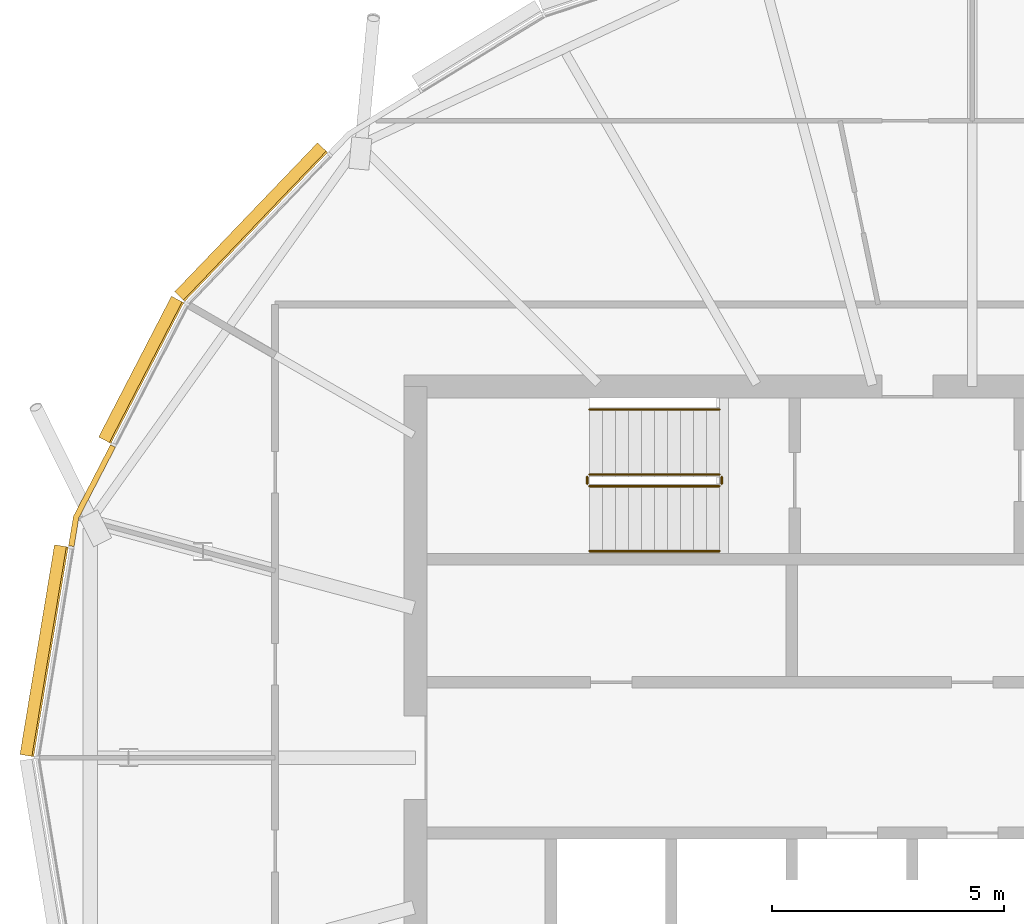
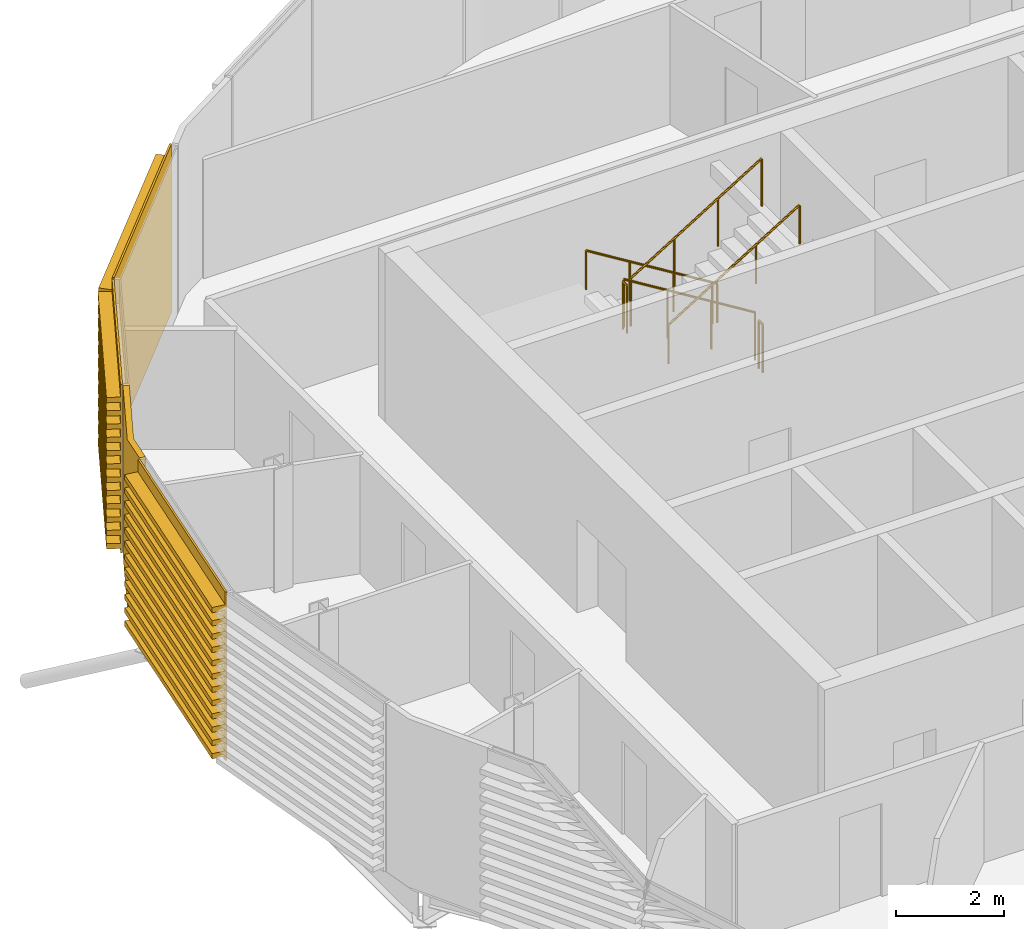
# One storey, part 31 of 34: 6 railings, 4 coverings.
"""IFC4 building model written with IfcOpenShell, lengths in metres."""

from ifc_helpers import new_model, si_unit, direction, frame, origin, origin_2d, place, context, subcontext, project, spatial, polyline, circle, outline, extrude, material, layer, layer_set, material_profile, profile_set, type_object, element, save


model = new_model("IFC4")

# Units and contexts
model_context = context("Model", 3, precision=1e-05, world=origin(), true_north=direction((0.0, 1.0)))
body_context = subcontext(model_context, "Body", "Model", "MODEL_VIEW")
ifc_project = project(units=[si_unit("LENGTHUNIT", "METRE"), si_unit("AREAUNIT", "SQUARE_METRE"), si_unit("VOLUMEUNIT", "CUBIC_METRE"), si_unit("PLANEANGLEUNIT", "RADIAN"), si_unit("MASSUNIT", "GRAM", prefix="KILO")], contexts=[model_context])

# Site, building, storey
site_placement = place(None, origin())
site = spatial("IfcSite", under=ifc_project, at=site_placement, CompositionType="ELEMENT")
building_placement = place(site_placement, origin())
building = spatial("IfcBuilding", under=site, at=building_placement, Name="Rimbun Link Towers", CompositionType="ELEMENT")
storey_placement = place(building_placement, frame((0.0, 0.0, 252.300048828125)))
storey = spatial("IfcBuildingStorey", under=building, at=storey_placement, Name="L62", CompositionType="ELEMENT", Elevation=252.300048828125)

# Covering
ifc_material_1 = material(Name="Terracotta", Category="masonry")
ifc_layer = layer(ifc_material_1, 0.1201171875)
ifc_layer_set = layer_set([ifc_layer], Name="LINK PIER terracotta cladding 120")
covering_type_1 = type_object("IfcCoveringType", Name="LINK PIER terracotta cladding 120", PredefinedType="CLADDING", material=ifc_layer_set)
covering_1_placement = place(storey_placement, origin())
element("IfcCovering", 1, at=covering_1_placement, inside=storey, type_object=covering_type_1, Name="LINK PIER cladding", PredefinedType="CLADDING", context=body_context, shape_type="SweptSolid", body=[
    extrude(outline(polyline([(-51.109619140625, 4.548828125), (-51.009033203125, 5.160400390625), (-50.21875, 6.688232421875), (-50.3251953125, 6.7431640625), (-51.12451171875, 5.19873046875), (-51.22802734375, 4.568115234375), (-51.109619140625, 4.548828125)])), origin(), (0.0, 0.0, 1.0), 3.800048828125),
])

# Railings
ifc_material_2 = material(Name="Stainless steel grade 316", Category="steel")
railing_type_1 = type_object("IfcRailingType", Name="Stair guard", PredefinedType="GUARDRAIL", material=ifc_material_2)
railing_1_placement = place(storey_placement, frame((-37.199951171875, 6.10009765625, 0.172607421875)))
element("IfcRailing", 2, at=railing_1_placement, inside=storey, type_object=railing_type_1, Name="L62 ST1 stair guard 1", PredefinedType="GUARDRAIL", context=body_context, shape_type="SweptSolid", body=[
    extrude(circle(Radius=0.02392578125, at=origin_2d()), frame((0.0, 0.0, 1.076171875), z_axis=(-0.851089632645, 0.0, 0.525020415988), x_axis=(0.0, -1.0, 0.0)), (0.0, 0.0, 1.0), 3.2900390625),
    extrude(circle(Radius=0.02099609375, at=origin_2d()), origin(), (0.0, 0.0, 1.0), 1.052001953125),
    extrude(circle(Radius=0.02099609375, at=origin_2d()), frame((-0.933349609375, 0.0, 0.57568359375)), (0.0, 0.0, 1.0), 1.052001953125),
    extrude(circle(Radius=0.02099609375, at=origin_2d()), frame((-1.86669921875, 0.0, 1.151611328125)), (0.0, 0.0, 1.0), 1.052001953125),
    extrude(circle(Radius=0.02099609375, at=origin_2d()), frame((-2.800048828125, 0.0, 1.727294921875)), (0.0, 0.0, 1.0), 1.052001953125),
])
railing_2_placement = place(storey_placement, frame((-40.050048828125, 6.050048828125, 1.89990234375)))
element("IfcRailing", 3, at=railing_2_placement, inside=storey, type_object=railing_type_1, Name="L62 ST1 stair guard 2", PredefinedType="GUARDRAIL", context=body_context, shape_type="SweptSolid", body=[
    extrude(circle(Radius=0.02392578125, at=origin_2d()), frame((0.0, 0.0, 1.076171875), z_axis=(0.0, -1.0, 0.0), x_axis=(1.0, 0.0, 0.0)), (0.0, 0.0, 1.0), 0.150146484375),
    extrude(circle(Radius=0.02099609375, at=origin_2d()), origin(), (0.0, 0.0, 1.0), 1.052001953125),
    extrude(circle(Radius=0.02099609375, at=origin_2d()), frame((0.0, -0.150146484375, 0.0)), (0.0, 0.0, 1.0), 1.052001953125),
])
railing_3_placement = place(storey_placement, frame((-40.0, 5.85009765625, 2.07275390625)))
element("IfcRailing", 4, at=railing_3_placement, inside=storey, type_object=railing_type_1, Name="L62 ST1 stair guard 3", PredefinedType="GUARDRAIL", context=body_context, shape_type="SweptSolid", body=[
    extrude(circle(Radius=0.02392578125, at=origin_2d()), frame((0.0, 0.0, 1.076171875), z_axis=(0.851089632645, 0.0, 0.525020415988), x_axis=(0.0, 1.0, 0.0)), (0.0, 0.0, 1.0), 3.2900390625),
    extrude(circle(Radius=0.02099609375, at=origin_2d()), origin(), (0.0, 0.0, 1.0), 1.052001953125),
    extrude(circle(Radius=0.02099609375, at=origin_2d()), frame((0.933349609375, 0.0, 0.57568359375)), (0.0, 0.0, 1.0), 1.052001953125),
    extrude(circle(Radius=0.02099609375, at=origin_2d()), frame((1.86669921875, 0.0, 1.151611328125)), (0.0, 0.0, 1.0), 1.052001953125),
    extrude(circle(Radius=0.02099609375, at=origin_2d()), frame((2.800048828125, 0.0, 1.727294921875)), (0.0, 0.0, 1.0), 1.052001953125),
])
railing_4_placement = place(storey_placement, frame((-37.14990234375, 6.050048828125, 0.0)))
element("IfcRailing", 5, at=railing_4_placement, inside=storey, type_object=railing_type_1, Name="L62 ST1 stair guard 4", PredefinedType="GUARDRAIL", context=body_context, shape_type="SweptSolid", body=[
    extrude(circle(Radius=0.02392578125, at=origin_2d()), frame((0.0, 0.0, 1.076171875), z_axis=(0.0, -1.0, 0.0), x_axis=(1.0, 0.0, 0.0)), (0.0, 0.0, 1.0), 0.150146484375),
    extrude(circle(Radius=0.02099609375, at=origin_2d()), origin(), (0.0, 0.0, 1.0), 1.052001953125),
    extrude(circle(Radius=0.02099609375, at=origin_2d()), frame((0.0, -0.150146484375, 0.0)), (0.0, 0.0, 1.0), 1.052001953125),
])
ifc_material_3 = material(Name="Stainless steel grade 316", Category="steel")
railing_type_2 = type_object("IfcRailingType", Name="Stair handrail", PredefinedType="HANDRAIL", material=ifc_material_3)
railing_5_placement = place(storey_placement, frame((-37.199951171875, 7.5, 0.172607421875)))
element("IfcRailing", 6, at=railing_5_placement, inside=storey, type_object=railing_type_2, Name="L62 ST1 stair handrail 1", PredefinedType="HANDRAIL", context=body_context, shape_type="SweptSolid", body=[
    extrude(circle(Radius=0.02392578125, at=origin_2d()), frame((0.0, 0.0, 0.8759765625), z_axis=(-0.851089632645, 0.0, 0.525020415988), x_axis=(0.0, -1.0, 0.0)), (0.0, 0.0, 1.0), 3.2900390625),
    extrude(circle(Radius=0.02099609375, at=origin_2d()), origin(), (0.0, 0.0, 1.0), 0.851806640625),
    extrude(circle(Radius=0.02099609375, at=origin_2d()), frame((-0.933349609375, 0.0, 0.57568359375)), (0.0, 0.0, 1.0), 0.851806640625),
    extrude(circle(Radius=0.02099609375, at=origin_2d()), frame((-1.86669921875, 0.0, 1.151611328125)), (0.0, 0.0, 1.0), 0.851806640625),
    extrude(circle(Radius=0.02099609375, at=origin_2d()), frame((-2.800048828125, 0.0, 1.727294921875)), (0.0, 0.0, 1.0), 0.851806640625),
])
railing_6_placement = place(storey_placement, frame((-40.0, 4.449951171875, 2.07275390625)))
element("IfcRailing", 7, at=railing_6_placement, inside=storey, type_object=railing_type_2, Name="L62 ST1 stair handrail 2", PredefinedType="HANDRAIL", context=body_context, shape_type="SweptSolid", body=[
    extrude(circle(Radius=0.02392578125, at=origin_2d()), frame((0.0, 0.0, 0.8759765625), z_axis=(0.851089632645, 0.0, 0.525020415988), x_axis=(0.0, 1.0, 0.0)), (0.0, 0.0, 1.0), 3.2900390625),
    extrude(circle(Radius=0.02099609375, at=origin_2d()), origin(), (0.0, 0.0, 1.0), 0.851806640625),
    extrude(circle(Radius=0.02099609375, at=origin_2d()), frame((0.933349609375, 0.0, 0.57568359375)), (0.0, 0.0, 1.0), 0.851806640625),
    extrude(circle(Radius=0.02099609375, at=origin_2d()), frame((1.86669921875, 0.0, 1.151611328125)), (0.0, 0.0, 1.0), 0.851806640625),
    extrude(circle(Radius=0.02099609375, at=origin_2d()), frame((2.800048828125, 0.0, 1.727294921875)), (0.0, 0.0, 1.0), 0.851806640625),
])

# Coverings
ifc_material_4 = material(Name="Terracotta", Category="masonry")
ifc_material_profile = material_profile(ifc_material_4, outline(polyline([(0.123046875, 0.0), (0.1630859375, 0.0), (0.1630859375, 0.10009765625), (0.423095703125, 0.10009765625), (0.423095703125, 0.219970703125), (0.1630859375, 0.219970703125), (0.1630859375, 0.39990234375), (0.423095703125, 0.39990234375), (0.423095703125, 0.52001953125), (0.1630859375, 0.52001953125), (0.1630859375, 0.699951171875), (0.423095703125, 0.699951171875), (0.423095703125, 0.820068359375), (0.1630859375, 0.820068359375), (0.1630859375, 1.0), (0.423095703125, 1.0), (0.423095703125, 1.1201171875), (0.1630859375, 1.1201171875), (0.1630859375, 1.300048828125), (0.423095703125, 1.300048828125), (0.423095703125, 1.419921875), (0.1630859375, 1.419921875), (0.1630859375, 1.60009765625), (0.423095703125, 1.60009765625), (0.423095703125, 1.719970703125), (0.1630859375, 1.719970703125), (0.1630859375, 1.89990234375), (0.423095703125, 1.89990234375), (0.423095703125, 2.02001953125), (0.1630859375, 2.02001953125), (0.1630859375, 2.199951171875), (0.423095703125, 2.199951171875), (0.423095703125, 2.320068359375), (0.1630859375, 2.320068359375), (0.1630859375, 2.5), (0.423095703125, 2.5), (0.423095703125, 2.6201171875), (0.1630859375, 2.6201171875), (0.1630859375, 2.800048828125), (0.423095703125, 2.800048828125), (0.423095703125, 2.919921875), (0.1630859375, 2.919921875), (0.1630859375, 3.10009765625), (0.423095703125, 3.10009765625), (0.423095703125, 3.219970703125), (0.1630859375, 3.219970703125), (0.1630859375, 3.39990234375), (0.423095703125, 3.39990234375), (0.423095703125, 3.52001953125), (0.1630859375, 3.52001953125), (0.1630859375, 3.800048828125), (0.123046875, 3.800048828125), (0.123046875, 0.0)])), Name="BAGUETTE 120X300")
ifc_profile_set = profile_set([ifc_material_profile], Name="Terracotta")
covering_type_2 = type_object("IfcCoveringType", Name="TERRACOTTA BAGUETTE 120X300 H3800", PredefinedType="CLADDING", material=ifc_profile_set)
covering_2_placement = place(storey_placement, frame((-48.635009765625, 9.74853515625, 0.0), z_axis=(0.692017431912, 0.721880789279, 0.0), x_axis=(-0.721880789279, 0.692017431912, 0.0)))
element("IfcCovering", 8, at=covering_2_placement, inside=storey, type_object=covering_type_2, Name="TERRACOTTA BAGUETTE", PredefinedType="CLADDING", context=body_context, shape_type="SweptSolid", body=[
    extrude(outline(polyline([(0.123046875, 0.0), (0.1630859375, 0.0), (0.1630859375, 0.10009765625), (0.423095703125, 0.10009765625), (0.423095703125, 0.219970703125), (0.1630859375, 0.219970703125), (0.1630859375, 0.39990234375), (0.423095703125, 0.39990234375), (0.423095703125, 0.52001953125), (0.1630859375, 0.52001953125), (0.1630859375, 0.699951171875), (0.423095703125, 0.699951171875), (0.423095703125, 0.820068359375), (0.1630859375, 0.820068359375), (0.1630859375, 1.0), (0.423095703125, 1.0), (0.423095703125, 1.1201171875), (0.1630859375, 1.1201171875), (0.1630859375, 1.300048828125), (0.423095703125, 1.300048828125), (0.423095703125, 1.419921875), (0.1630859375, 1.419921875), (0.1630859375, 1.60009765625), (0.423095703125, 1.60009765625), (0.423095703125, 1.719970703125), (0.1630859375, 1.719970703125), (0.1630859375, 1.89990234375), (0.423095703125, 1.89990234375), (0.423095703125, 2.02001953125), (0.1630859375, 2.02001953125), (0.1630859375, 2.199951171875), (0.423095703125, 2.199951171875), (0.423095703125, 2.320068359375), (0.1630859375, 2.320068359375), (0.1630859375, 2.5), (0.423095703125, 2.5), (0.423095703125, 2.6201171875), (0.1630859375, 2.6201171875), (0.1630859375, 2.800048828125), (0.423095703125, 2.800048828125), (0.423095703125, 2.919921875), (0.1630859375, 2.919921875), (0.1630859375, 3.10009765625), (0.423095703125, 3.10009765625), (0.423095703125, 3.219970703125), (0.1630859375, 3.219970703125), (0.1630859375, 3.39990234375), (0.423095703125, 3.39990234375), (0.423095703125, 3.52001953125), (0.1630859375, 3.52001953125), (0.1630859375, 3.800048828125), (0.123046875, 3.800048828125), (0.123046875, 0.0)])), origin(), (0.0, 0.0, 1.0), 4.447265625),
])
covering_3_placement = place(storey_placement, frame((-50.204833984375, 6.71484375, 0.0), z_axis=(0.459578465218, 0.888137170885, 0.0), x_axis=(-0.888137170885, 0.459578465218, 0.0)))
element("IfcCovering", 9, at=covering_3_placement, inside=storey, type_object=covering_type_2, Name="TERRACOTTA BAGUETTE", PredefinedType="CLADDING", context=body_context, shape_type="SweptSolid", body=[
    extrude(outline(polyline([(0.123046875, 0.0), (0.1630859375, 0.0), (0.1630859375, 0.10009765625), (0.423095703125, 0.10009765625), (0.423095703125, 0.219970703125), (0.1630859375, 0.219970703125), (0.1630859375, 0.39990234375), (0.423095703125, 0.39990234375), (0.423095703125, 0.52001953125), (0.1630859375, 0.52001953125), (0.1630859375, 0.699951171875), (0.423095703125, 0.699951171875), (0.423095703125, 0.820068359375), (0.1630859375, 0.820068359375), (0.1630859375, 1.0), (0.423095703125, 1.0), (0.423095703125, 1.1201171875), (0.1630859375, 1.1201171875), (0.1630859375, 1.300048828125), (0.423095703125, 1.300048828125), (0.423095703125, 1.419921875), (0.1630859375, 1.419921875), (0.1630859375, 1.60009765625), (0.423095703125, 1.60009765625), (0.423095703125, 1.719970703125), (0.1630859375, 1.719970703125), (0.1630859375, 1.89990234375), (0.423095703125, 1.89990234375), (0.423095703125, 2.02001953125), (0.1630859375, 2.02001953125), (0.1630859375, 2.199951171875), (0.423095703125, 2.199951171875), (0.423095703125, 2.320068359375), (0.1630859375, 2.320068359375), (0.1630859375, 2.5), (0.423095703125, 2.5), (0.423095703125, 2.6201171875), (0.1630859375, 2.6201171875), (0.1630859375, 2.800048828125), (0.423095703125, 2.800048828125), (0.423095703125, 2.919921875), (0.1630859375, 2.919921875), (0.1630859375, 3.10009765625), (0.423095703125, 3.10009765625), (0.423095703125, 3.219970703125), (0.1630859375, 3.219970703125), (0.1630859375, 3.39990234375), (0.423095703125, 3.39990234375), (0.423095703125, 3.52001953125), (0.1630859375, 3.52001953125), (0.1630859375, 3.800048828125), (0.123046875, 3.800048828125), (0.123046875, 0.0)])), origin(), (0.0, 0.0, 1.0), 3.415771484375),
])
covering_4_placement = place(storey_placement, frame((-51.857666015625, 0.0, 0.0), z_axis=(0.162272015978, 0.986746062992, 0.0), x_axis=(-0.986746062992, 0.162272015978, 0.0)))
element("IfcCovering", 10, at=covering_4_placement, inside=storey, type_object=covering_type_2, Name="TERRACOTTA BAGUETTE", PredefinedType="CLADDING", context=body_context, shape_type="SweptSolid", body=[
    extrude(outline(polyline([(0.123046875, 0.0), (0.1630859375, 0.0), (0.1630859375, 0.10009765625), (0.423095703125, 0.10009765625), (0.423095703125, 0.219970703125), (0.1630859375, 0.219970703125), (0.1630859375, 0.39990234375), (0.423095703125, 0.39990234375), (0.423095703125, 0.52001953125), (0.1630859375, 0.52001953125), (0.1630859375, 0.699951171875), (0.423095703125, 0.699951171875), (0.423095703125, 0.820068359375), (0.1630859375, 0.820068359375), (0.1630859375, 1.0), (0.423095703125, 1.0), (0.423095703125, 1.1201171875), (0.1630859375, 1.1201171875), (0.1630859375, 1.300048828125), (0.423095703125, 1.300048828125), (0.423095703125, 1.419921875), (0.1630859375, 1.419921875), (0.1630859375, 1.60009765625), (0.423095703125, 1.60009765625), (0.423095703125, 1.719970703125), (0.1630859375, 1.719970703125), (0.1630859375, 1.89990234375), (0.423095703125, 1.89990234375), (0.423095703125, 2.02001953125), (0.1630859375, 2.02001953125), (0.1630859375, 2.199951171875), (0.423095703125, 2.199951171875), (0.423095703125, 2.320068359375), (0.1630859375, 2.320068359375), (0.1630859375, 2.5), (0.423095703125, 2.5), (0.423095703125, 2.6201171875), (0.1630859375, 2.6201171875), (0.1630859375, 2.800048828125), (0.423095703125, 2.800048828125), (0.423095703125, 2.919921875), (0.1630859375, 2.919921875), (0.1630859375, 3.10009765625), (0.423095703125, 3.10009765625), (0.423095703125, 3.219970703125), (0.1630859375, 3.219970703125), (0.1630859375, 3.39990234375), (0.423095703125, 3.39990234375), (0.423095703125, 3.52001953125), (0.1630859375, 3.52001953125), (0.1630859375, 3.800048828125), (0.123046875, 3.800048828125), (0.123046875, 0.0)])), origin(), (0.0, 0.0, 1.0), 4.579833984375),
])

save(model, "model.ifc")
